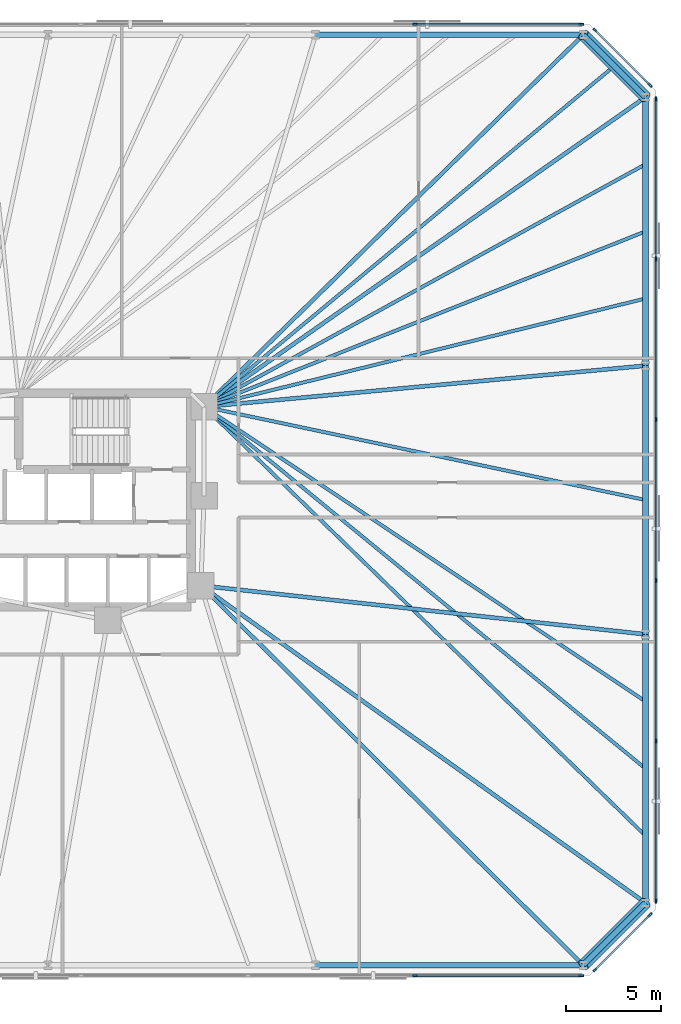
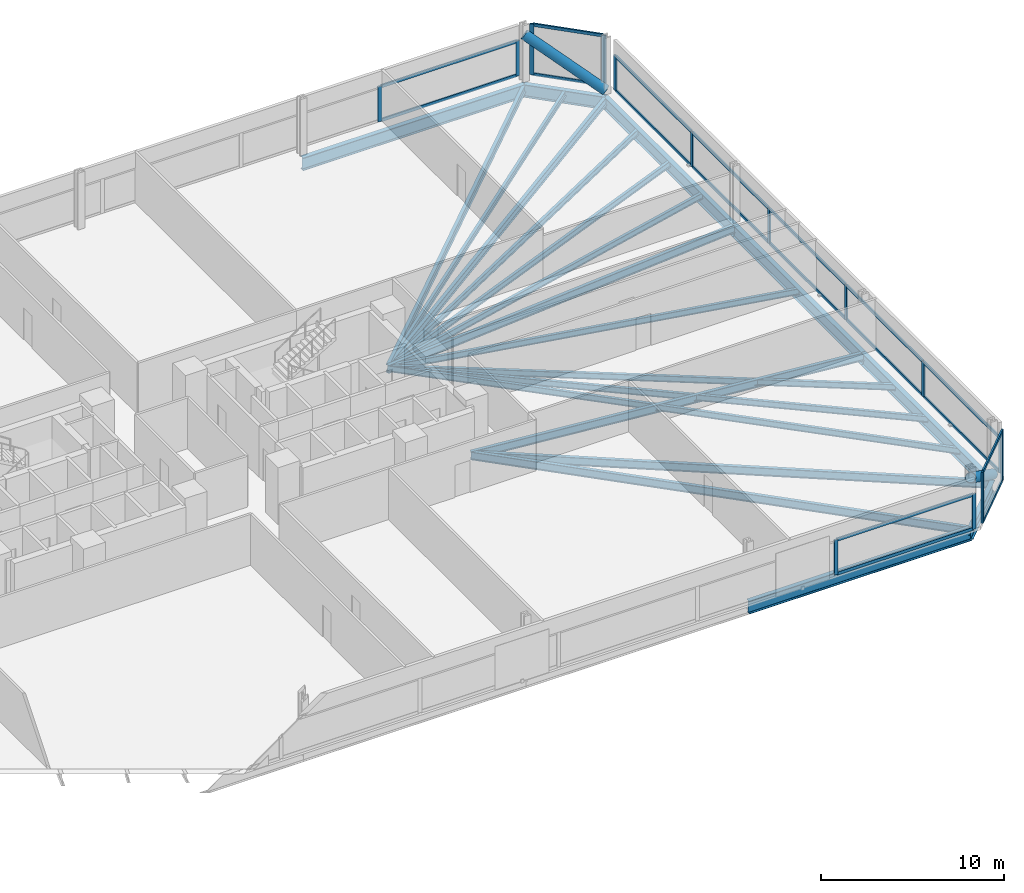
# One storey, part 10 of 17: 34 members, 21 beams, 5 elements without a shape of their own.
"""IFC4 building model written with IfcOpenShell, lengths in metres."""

from ifc_helpers import new_model, si_unit, direction, frame, origin, origin_2d, place, context, subcontext, project, spatial, rectangle, hollow_circle, i_section, extrude, material, material_profile, profile_set, type_object, element, aggregate, save


model = new_model("IFC4")

# Units and contexts
model_context = context("Model", 3, precision=1e-05, world=origin(), true_north=direction((0.0, 1.0)))
body_context = subcontext(model_context, "Body", "Model", "MODEL_VIEW")
ifc_project = project(units=[si_unit("LENGTHUNIT", "METRE"), si_unit("AREAUNIT", "SQUARE_METRE"), si_unit("VOLUMEUNIT", "CUBIC_METRE"), si_unit("PLANEANGLEUNIT", "RADIAN"), si_unit("MASSUNIT", "GRAM", prefix="KILO")], contexts=[model_context])

# Site, building, storey
site_placement = place(None, origin())
site = spatial("IfcSite", under=ifc_project, at=site_placement, CompositionType="ELEMENT")
building_placement = place(site_placement, origin())
building = spatial("IfcBuilding", under=site, at=building_placement, Name="Menara Jurai Vektor", CompositionType="ELEMENT")
storey_placement = place(building_placement, frame((0.0, 0.0, 75.0)))
storey = spatial("IfcBuildingStorey", under=building, at=storey_placement, Name="L18", CompositionType="ELEMENT", Elevation=75.0)

# Curtain wall, members
ifc_material_1 = material(Name="Anodised Pale Aluminium & Low-E Double Glazing", Category="aluminium")
curtain_wall_type = type_object("IfcCurtainWallType", Name="CW-BLK1", PredefinedType="NOTDEFINED", material=ifc_material_1)
curtain_wall_1_placement = place(storey_placement, origin())
curtain_wall_1 = element("IfcCurtainWall", 1, at=curtain_wall_1_placement, inside=storey, type_object=curtain_wall_type, Name="Unitised Curtain Wall L18 F01", PredefinedType="NOTDEFINED")
ifc_material_2 = material(Name="Anodised Pale Aluminium Mullion", Category="aluminium")
ifc_material_profile_1 = material_profile(ifc_material_2, rectangle(XDim=0.094970703125, YDim=0.239990234375, at=origin_2d()), Name="ALU MUL 95x240")
ifc_profile_set_1 = profile_set([ifc_material_profile_1], Name="Anodised Pale Aluminium Mullion")
member_type_1 = type_object("IfcMemberType", Name="CW-BLK1-MUL", PredefinedType="MULLION", material=ifc_profile_set_1)
member_1_placement = place(storey_placement, frame((26.340087890625, -25.0, 0.0), z_axis=(0.0, 0.0, 1.0), x_axis=(0.0, 1.0, 0.0)))
member_1 = element("IfcMember", 2, at=member_1_placement, type_object=member_type_1, Name="CW-01 mullion 8", PredefinedType="MULLION", context=body_context, shape_type="SweptSolid", body=[
    extrude(rectangle(XDim=0.094970703125, YDim=0.239990234375, at=origin_2d()), origin(), (0.0, 0.0, 1.0), 2.35888671875),
])
member_2_placement = place(storey_placement, frame((35.072509765625, -25.0, 0.0), z_axis=(0.0, 0.0, 1.0), x_axis=(0.0, 1.0, 0.0)))
member_2 = element("IfcMember", 3, at=member_2_placement, type_object=member_type_1, Name="CW-01 mullion 9", PredefinedType="MULLION", context=body_context, shape_type="SweptSolid", body=[
    extrude(rectangle(XDim=0.094970703125, YDim=0.239990234375, at=origin_2d()), origin(), (0.0, 0.0, 1.0), 2.35888671875),
])

curtain_wall_2_placement = place(storey_placement, origin())
curtain_wall_2 = element("IfcCurtainWall", 4, at=curtain_wall_2_placement, inside=storey, type_object=curtain_wall_type, Name="Unitised Curtain Wall L18 F02", PredefinedType="NOTDEFINED")
member_3_placement = place(storey_placement, frame((35.80224609375, -24.69775390625, 0.0), z_axis=(0.0, 0.0, 1.0), x_axis=(-0.707106781187, 0.707106781187, 0.0)))
member_3 = element("IfcMember", 5, at=member_3_placement, type_object=member_type_1, Name="CW-01 mullion 1", PredefinedType="MULLION", context=body_context, shape_type="SweptSolid", body=[
    extrude(rectangle(XDim=0.094970703125, YDim=0.239990234375, at=origin_2d()), origin(), (0.0, 0.0, 1.0), 3.39501953125),
])
member_4_placement = place(storey_placement, frame((38.69775390625, -21.80224609375, 0.0), z_axis=(0.0, 0.0, 1.0), x_axis=(-0.707106781187, 0.707106781187, 0.0)))
member_4 = element("IfcMember", 6, at=member_4_placement, type_object=member_type_1, Name="CW-01 mullion 2", PredefinedType="MULLION", context=body_context, shape_type="SweptSolid", body=[
    extrude(rectangle(XDim=0.094970703125, YDim=0.239990234375, at=origin_2d()), origin(), (0.0, 0.0, 1.0), 3.39501953125),
])

curtain_wall_3_placement = place(storey_placement, origin())
curtain_wall_3 = element("IfcCurtainWall", 7, at=curtain_wall_3_placement, inside=storey, type_object=curtain_wall_type, Name="Unitised Curtain Wall L18 F03", PredefinedType="NOTDEFINED")
member_5_placement = place(storey_placement, frame((39.0, -21.072509765625, 0.0), z_axis=(0.0, 0.0, 1.0), x_axis=(-1.0, 0.0, 0.0)))
member_5 = element("IfcMember", 8, at=member_5_placement, type_object=member_type_1, Name="CW-01 mullion 1", PredefinedType="MULLION", context=body_context, shape_type="SweptSolid", body=[
    extrude(rectangle(XDim=0.094970703125, YDim=0.239990234375, at=origin_2d()), origin(), (0.0, 0.0, 1.0), 2.35888671875),
])
member_6_placement = place(storey_placement, frame((39.0, -12.672119140625, 0.0), z_axis=(0.0, 0.0, 1.0), x_axis=(-1.0, 0.0, 0.0)))
member_6 = element("IfcMember", 9, at=member_6_placement, type_object=member_type_1, Name="CW-01 mullion 2", PredefinedType="MULLION", context=body_context, shape_type="SweptSolid", body=[
    extrude(rectangle(XDim=0.094970703125, YDim=0.239990234375, at=origin_2d()), origin(), (0.0, 0.0, 1.0), 2.35888671875),
])
member_7_placement = place(storey_placement, frame((39.0, -4.22412109375, 0.0), z_axis=(0.0, 0.0, 1.0), x_axis=(-1.0, 0.0, 0.0)))
member_7 = element("IfcMember", 10, at=member_7_placement, type_object=member_type_1, Name="CW-01 mullion 3", PredefinedType="MULLION", context=body_context, shape_type="SweptSolid", body=[
    extrude(rectangle(XDim=0.094970703125, YDim=0.239990234375, at=origin_2d()), origin(), (0.0, 0.0, 1.0), 2.35888671875),
])
member_8_placement = place(storey_placement, frame((39.0, 4.22412109375, 0.0), z_axis=(0.0, 0.0, 1.0), x_axis=(-1.0, 0.0, 0.0)))
member_8 = element("IfcMember", 11, at=member_8_placement, type_object=member_type_1, Name="CW-01 mullion 4", PredefinedType="MULLION", context=body_context, shape_type="SweptSolid", body=[
    extrude(rectangle(XDim=0.094970703125, YDim=0.239990234375, at=origin_2d()), origin(), (0.0, 0.0, 1.0), 2.35888671875),
])
member_9_placement = place(storey_placement, frame((39.0, 12.672119140625, 0.0), z_axis=(0.0, 0.0, 1.0), x_axis=(-1.0, 0.0, 0.0)))
member_9 = element("IfcMember", 12, at=member_9_placement, type_object=member_type_1, Name="CW-01 mullion 5", PredefinedType="MULLION", context=body_context, shape_type="SweptSolid", body=[
    extrude(rectangle(XDim=0.094970703125, YDim=0.239990234375, at=origin_2d()), origin(), (0.0, 0.0, 1.0), 2.35888671875),
])
member_10_placement = place(storey_placement, frame((39.0, 21.072509765625, 0.0), z_axis=(0.0, 0.0, 1.0), x_axis=(-1.0, 0.0, 0.0)))
member_10 = element("IfcMember", 13, at=member_10_placement, type_object=member_type_1, Name="CW-01 mullion 6", PredefinedType="MULLION", context=body_context, shape_type="SweptSolid", body=[
    extrude(rectangle(XDim=0.094970703125, YDim=0.239990234375, at=origin_2d()), origin(), (0.0, 0.0, 1.0), 2.35888671875),
])

curtain_wall_4_placement = place(storey_placement, origin())
curtain_wall_4 = element("IfcCurtainWall", 14, at=curtain_wall_4_placement, inside=storey, type_object=curtain_wall_type, Name="Unitised Curtain Wall L18 F04", PredefinedType="NOTDEFINED")
member_11_placement = place(storey_placement, frame((38.69775390625, 21.80224609375, 0.0), z_axis=(0.0, 0.0, 1.0), x_axis=(-0.707106781187, -0.707106781187, 0.0)))
member_11 = element("IfcMember", 15, at=member_11_placement, type_object=member_type_1, Name="CW-01 mullion 1", PredefinedType="MULLION", context=body_context, shape_type="SweptSolid", body=[
    extrude(rectangle(XDim=0.094970703125, YDim=0.239990234375, at=origin_2d()), origin(), (0.0, 0.0, 1.0), 3.39501953125),
])
member_12_placement = place(storey_placement, frame((35.80224609375, 24.69775390625, 0.0), z_axis=(0.0, 0.0, 1.0), x_axis=(-0.707106781187, -0.707106781187, 0.0)))
member_12 = element("IfcMember", 16, at=member_12_placement, type_object=member_type_1, Name="CW-01 mullion 2", PredefinedType="MULLION", context=body_context, shape_type="SweptSolid", body=[
    extrude(rectangle(XDim=0.094970703125, YDim=0.239990234375, at=origin_2d()), origin(), (0.0, 0.0, 1.0), 3.39501953125),
])

curtain_wall_5_placement = place(storey_placement, origin())
curtain_wall_5 = element("IfcCurtainWall", 17, at=curtain_wall_5_placement, inside=storey, type_object=curtain_wall_type, Name="Unitised Curtain Wall L18 F05", PredefinedType="NOTDEFINED")
member_13_placement = place(storey_placement, frame((35.072509765625, 25.0, 0.0), z_axis=(0.0, 0.0, 1.0), x_axis=(0.0, -1.0, 0.0)))
member_13 = element("IfcMember", 18, at=member_13_placement, type_object=member_type_1, Name="CW-01 mullion 1", PredefinedType="MULLION", context=body_context, shape_type="SweptSolid", body=[
    extrude(rectangle(XDim=0.094970703125, YDim=0.239990234375, at=origin_2d()), origin(), (0.0, 0.0, 1.0), 2.35888671875),
])
member_14_placement = place(storey_placement, frame((26.340087890625, 25.0, 0.0), z_axis=(0.0, 0.0, 1.0), x_axis=(0.0, -1.0, 0.0)))
member_14 = element("IfcMember", 19, at=member_14_placement, type_object=member_type_1, Name="CW-01 mullion 2", PredefinedType="MULLION", context=body_context, shape_type="SweptSolid", body=[
    extrude(rectangle(XDim=0.094970703125, YDim=0.239990234375, at=origin_2d()), origin(), (0.0, 0.0, 1.0), 2.35888671875),
])

# Member
ifc_material_3 = material(Name="Anodised Pale Aluminium Transom", Category="aluminium")
ifc_material_profile_2 = material_profile(ifc_material_3, rectangle(XDim=0.094970703125, YDim=0.199951171875, at=origin_2d()), Name="ALU TRN 95x200")
ifc_profile_set_2 = profile_set([ifc_material_profile_2], Name="Anodised Pale Aluminium Transom")
member_type_2 = type_object("IfcMemberType", Name="CW-BLK1-TRN", PredefinedType="USERDEFINED", material=ifc_profile_set_2)
member_15_placement = place(storey_placement, frame((26.387451171875, -25.0, 0.047607421875), z_axis=(1.0, 0.0, 0.0), x_axis=(0.0, 1.0, 0.0)))
member_15 = element("IfcMember", 20, at=member_15_placement, type_object=member_type_2, Name="CW-01 transom 8.1", ObjectType="TRANSOM", PredefinedType="USERDEFINED", context=body_context, shape_type="SweptSolid", body=[
    extrude(rectangle(XDim=0.094970703125, YDim=0.199951171875, at=origin_2d()), origin(), (0.0, 0.0, 1.0), 8.637451171875),
])

member_16_placement = place(storey_placement, frame((26.387451171875, -25.0, 2.3115234375), z_axis=(1.0, 0.0, 0.0), x_axis=(0.0, 1.0, 0.0)))
member_16 = element("IfcMember", 21, at=member_16_placement, type_object=member_type_2, Name="CW-01 transom 8.2", ObjectType="TRANSOM", PredefinedType="USERDEFINED", context=body_context, shape_type="SweptSolid", body=[
    extrude(rectangle(XDim=0.094970703125, YDim=0.199951171875, at=origin_2d()), origin(), (0.0, 0.0, 1.0), 8.637451171875),
])

aggregate(curtain_wall_1, [member_1, member_2, member_15, member_16])

member_17_placement = place(storey_placement, frame((35.8359375, -24.6640625, 0.047607421875), z_axis=(0.707106781187, 0.707106781187, 0.0), x_axis=(-0.707106781187, 0.707106781187, 0.0)))
member_17 = element("IfcMember", 22, at=member_17_placement, type_object=member_type_2, Name="CW-01 transom 1.1", ObjectType="TRANSOM", PredefinedType="USERDEFINED", context=body_context, shape_type="SweptSolid", body=[
    extrude(rectangle(XDim=0.094970703125, YDim=0.199951171875, at=origin_2d()), origin(), (0.0, 0.0, 1.0), 3.99951171875),
])

member_18_placement = place(storey_placement, frame((35.8359375, -24.6640625, 3.347412109375), z_axis=(0.707106781187, 0.707106781187, 0.0), x_axis=(-0.707106781187, 0.707106781187, 0.0)))
member_18 = element("IfcMember", 23, at=member_18_placement, type_object=member_type_2, Name="CW-01 transom 1.2", ObjectType="TRANSOM", PredefinedType="USERDEFINED", context=body_context, shape_type="SweptSolid", body=[
    extrude(rectangle(XDim=0.094970703125, YDim=0.199951171875, at=origin_2d()), origin(), (0.0, 0.0, 1.0), 3.99951171875),
])

aggregate(curtain_wall_2, [member_3, member_4, member_17, member_18])

member_19_placement = place(storey_placement, frame((39.0, -21.02490234375, 0.047607421875), z_axis=(0.0, 1.0, 0.0), x_axis=(-1.0, 0.0, 0.0)))
member_19 = element("IfcMember", 24, at=member_19_placement, type_object=member_type_2, Name="CW-01 transom 1.1", ObjectType="TRANSOM", PredefinedType="USERDEFINED", context=body_context, shape_type="SweptSolid", body=[
    extrude(rectangle(XDim=0.094970703125, YDim=0.199951171875, at=origin_2d()), origin(), (0.0, 0.0, 1.0), 8.305419921875),
])

member_20_placement = place(storey_placement, frame((39.0, -21.02490234375, 2.3115234375), z_axis=(0.0, 1.0, 0.0), x_axis=(-1.0, 0.0, 0.0)))
member_20 = element("IfcMember", 25, at=member_20_placement, type_object=member_type_2, Name="CW-01 transom 1.2", ObjectType="TRANSOM", PredefinedType="USERDEFINED", context=body_context, shape_type="SweptSolid", body=[
    extrude(rectangle(XDim=0.094970703125, YDim=0.199951171875, at=origin_2d()), origin(), (0.0, 0.0, 1.0), 8.305419921875),
])

member_21_placement = place(storey_placement, frame((39.0, -12.62451171875, 0.047607421875), z_axis=(0.0, 1.0, 0.0), x_axis=(-1.0, 0.0, 0.0)))
member_21 = element("IfcMember", 26, at=member_21_placement, type_object=member_type_2, Name="CW-01 transom 2.1", ObjectType="TRANSOM", PredefinedType="USERDEFINED", context=body_context, shape_type="SweptSolid", body=[
    extrude(rectangle(XDim=0.094970703125, YDim=0.199951171875, at=origin_2d()), origin(), (0.0, 0.0, 1.0), 8.35302734375),
])

member_22_placement = place(storey_placement, frame((39.0, -12.62451171875, 2.3115234375), z_axis=(0.0, 1.0, 0.0), x_axis=(-1.0, 0.0, 0.0)))
member_22 = element("IfcMember", 27, at=member_22_placement, type_object=member_type_2, Name="CW-01 transom 2.2", ObjectType="TRANSOM", PredefinedType="USERDEFINED", context=body_context, shape_type="SweptSolid", body=[
    extrude(rectangle(XDim=0.094970703125, YDim=0.199951171875, at=origin_2d()), origin(), (0.0, 0.0, 1.0), 8.35302734375),
])

member_23_placement = place(storey_placement, frame((39.0, -4.176513671875, 0.047607421875), z_axis=(0.0, 1.0, 0.0), x_axis=(-1.0, 0.0, 0.0)))
member_23 = element("IfcMember", 28, at=member_23_placement, type_object=member_type_2, Name="CW-01 transom 3.1", ObjectType="TRANSOM", PredefinedType="USERDEFINED", context=body_context, shape_type="SweptSolid", body=[
    extrude(rectangle(XDim=0.094970703125, YDim=0.199951171875, at=origin_2d()), origin(), (0.0, 0.0, 1.0), 8.35302734375),
])

member_24_placement = place(storey_placement, frame((39.0, -4.176513671875, 2.3115234375), z_axis=(0.0, 1.0, 0.0), x_axis=(-1.0, 0.0, 0.0)))
member_24 = element("IfcMember", 29, at=member_24_placement, type_object=member_type_2, Name="CW-01 transom 3.2", ObjectType="TRANSOM", PredefinedType="USERDEFINED", context=body_context, shape_type="SweptSolid", body=[
    extrude(rectangle(XDim=0.094970703125, YDim=0.199951171875, at=origin_2d()), origin(), (0.0, 0.0, 1.0), 8.35302734375),
])

member_25_placement = place(storey_placement, frame((39.0, 4.271484375, 0.047607421875), z_axis=(0.0, 1.0, 0.0), x_axis=(-1.0, 0.0, 0.0)))
member_25 = element("IfcMember", 30, at=member_25_placement, type_object=member_type_2, Name="CW-01 transom 4.1", ObjectType="TRANSOM", PredefinedType="USERDEFINED", context=body_context, shape_type="SweptSolid", body=[
    extrude(rectangle(XDim=0.094970703125, YDim=0.199951171875, at=origin_2d()), origin(), (0.0, 0.0, 1.0), 8.35302734375),
])

member_26_placement = place(storey_placement, frame((39.0, 4.271484375, 2.3115234375), z_axis=(0.0, 1.0, 0.0), x_axis=(-1.0, 0.0, 0.0)))
member_26 = element("IfcMember", 31, at=member_26_placement, type_object=member_type_2, Name="CW-01 transom 4.2", ObjectType="TRANSOM", PredefinedType="USERDEFINED", context=body_context, shape_type="SweptSolid", body=[
    extrude(rectangle(XDim=0.094970703125, YDim=0.199951171875, at=origin_2d()), origin(), (0.0, 0.0, 1.0), 8.35302734375),
])

member_27_placement = place(storey_placement, frame((39.0, 12.719482421875, 0.047607421875), z_axis=(0.0, 1.0, 0.0), x_axis=(-1.0, 0.0, 0.0)))
member_27 = element("IfcMember", 32, at=member_27_placement, type_object=member_type_2, Name="CW-01 transom 5.1", ObjectType="TRANSOM", PredefinedType="USERDEFINED", context=body_context, shape_type="SweptSolid", body=[
    extrude(rectangle(XDim=0.094970703125, YDim=0.199951171875, at=origin_2d()), origin(), (0.0, 0.0, 1.0), 8.305419921875),
])

member_28_placement = place(storey_placement, frame((39.0, 12.719482421875, 2.3115234375), z_axis=(0.0, 1.0, 0.0), x_axis=(-1.0, 0.0, 0.0)))
member_28 = element("IfcMember", 33, at=member_28_placement, type_object=member_type_2, Name="CW-01 transom 5.2", ObjectType="TRANSOM", PredefinedType="USERDEFINED", context=body_context, shape_type="SweptSolid", body=[
    extrude(rectangle(XDim=0.094970703125, YDim=0.199951171875, at=origin_2d()), origin(), (0.0, 0.0, 1.0), 8.305419921875),
])

aggregate(curtain_wall_3, [member_5, member_6, member_7, member_8, member_9, member_10, member_19, member_20, member_21, member_22, member_23, member_24, member_25, member_26, member_27, member_28])

member_29_placement = place(storey_placement, frame((38.6640625, 21.8359375, 0.047607421875), z_axis=(-0.707106781187, 0.707106781187, 0.0), x_axis=(-0.707106781187, -0.707106781187, 0.0)))
member_29 = element("IfcMember", 34, at=member_29_placement, type_object=member_type_2, Name="CW-01 transom 1.1", ObjectType="TRANSOM", PredefinedType="USERDEFINED", context=body_context, shape_type="SweptSolid", body=[
    extrude(rectangle(XDim=0.094970703125, YDim=0.199951171875, at=origin_2d()), origin(), (0.0, 0.0, 1.0), 3.99951171875),
])

member_30_placement = place(storey_placement, frame((38.6640625, 21.8359375, 3.347412109375), z_axis=(-0.707106781187, 0.707106781187, 0.0), x_axis=(-0.707106781187, -0.707106781187, 0.0)))
member_30 = element("IfcMember", 35, at=member_30_placement, type_object=member_type_2, Name="CW-01 transom 1.2", ObjectType="TRANSOM", PredefinedType="USERDEFINED", context=body_context, shape_type="SweptSolid", body=[
    extrude(rectangle(XDim=0.094970703125, YDim=0.199951171875, at=origin_2d()), origin(), (0.0, 0.0, 1.0), 3.99951171875),
])

aggregate(curtain_wall_4, [member_11, member_12, member_29, member_30])

member_31_placement = place(storey_placement, frame((35.02490234375, 25.0, 0.047607421875), z_axis=(-1.0, 0.0, 0.0), x_axis=(0.0, -1.0, 0.0)))
member_31 = element("IfcMember", 36, at=member_31_placement, type_object=member_type_2, Name="CW-01 transom 1.1", ObjectType="TRANSOM", PredefinedType="USERDEFINED", context=body_context, shape_type="SweptSolid", body=[
    extrude(rectangle(XDim=0.094970703125, YDim=0.199951171875, at=origin_2d()), origin(), (0.0, 0.0, 1.0), 8.637451171875),
])

member_32_placement = place(storey_placement, frame((35.02490234375, 25.0, 2.3115234375), z_axis=(-1.0, 0.0, 0.0), x_axis=(0.0, -1.0, 0.0)))
member_32 = element("IfcMember", 37, at=member_32_placement, type_object=member_type_2, Name="CW-01 transom 1.2", ObjectType="TRANSOM", PredefinedType="USERDEFINED", context=body_context, shape_type="SweptSolid", body=[
    extrude(rectangle(XDim=0.094970703125, YDim=0.199951171875, at=origin_2d()), origin(), (0.0, 0.0, 1.0), 8.637451171875),
])

aggregate(curtain_wall_5, [member_13, member_14, member_31, member_32])

# Beams
ifc_material_4 = material(Name="Steel S355", Category="steel")
ifc_material_profile_3 = material_profile(ifc_material_4, i_section(OverallWidth=0.2109375, OverallDepth=0.5390625, WebThickness=0.011962890625, FlangeThickness=0.01904296875, FilletRadius=0.012939453125, at=origin_2d()), Name="UKB 533x210x109")
ifc_profile_set_3 = profile_set([ifc_material_profile_3], Name="Steel S355")
beam_type_1 = type_object("IfcBeamType", Name="STR-BM-533", PredefinedType="BEAM", material=ifc_profile_set_3)
beam_1_placement = place(storey_placement, frame((35.177734375, -24.449951171875, -0.494384765625), z_axis=(-0.709709931659, 0.704494011972, 0.0), x_axis=(-0.704494011972, -0.709709931659, 0.0)))
element("IfcBeam", 38, at=beam_1_placement, inside=storey, type_object=beam_type_1, Name="Radial Floor Girder L18-S6", PredefinedType="BEAM", context=body_context, shape_type="SweptSolid", body=[
    extrude(i_section(OverallWidth=0.2109375, OverallDepth=0.5390625, WebThickness=0.011962890625, FlangeThickness=0.01904296875, FilletRadius=0.012939453125, at=origin_2d()), origin(), (0.0, 0.0, 1.0), 28.318115234375),
])
beam_2_placement = place(storey_placement, frame((38.449951171875, -21.177734375, -0.494384765625), z_axis=(-0.813981033216, 0.580891450759, 0.0), x_axis=(-0.580891450759, -0.813981033216, 0.0)))
element("IfcBeam", 39, at=beam_2_placement, inside=storey, type_object=beam_type_1, Name="Radial Floor Girder L18-E1", PredefinedType="BEAM", context=body_context, shape_type="SweptSolid", body=[
    extrude(i_section(OverallWidth=0.2109375, OverallDepth=0.5390625, WebThickness=0.011962890625, FlangeThickness=0.01904296875, FilletRadius=0.012939453125, at=origin_2d()), origin(), (0.0, 0.0, 1.0), 28.710693359375),
])
beam_3_placement = place(storey_placement, frame((38.449951171875, -7.059326171875, -0.494384765625), z_axis=(-0.994056757953, 0.108863042253, 0.0), x_axis=(-0.108863042253, -0.994056757953, 0.0)))
element("IfcBeam", 40, at=beam_3_placement, inside=storey, type_object=beam_type_1, Name="Radial Floor Girder L18-E2", PredefinedType="BEAM", context=body_context, shape_type="SweptSolid", body=[
    extrude(i_section(OverallWidth=0.2109375, OverallDepth=0.5390625, WebThickness=0.011962890625, FlangeThickness=0.01904296875, FilletRadius=0.012939453125, at=origin_2d()), origin(), (0.0, 0.0, 1.0), 23.509521484375),
])
beam_4_placement = place(storey_placement, frame((38.449951171875, 7.059326171875, -0.494384765625), z_axis=(-0.995696113112, -0.092678208514, 0.0), x_axis=(0.092678208514, -0.995696113112, 0.0)))
element("IfcBeam", 41, at=beam_4_placement, inside=storey, type_object=beam_type_1, Name="Radial Floor Girder L18-E3", PredefinedType="BEAM", context=body_context, shape_type="SweptSolid", body=[
    extrude(i_section(OverallWidth=0.2109375, OverallDepth=0.5390625, WebThickness=0.011962890625, FlangeThickness=0.01904296875, FilletRadius=0.012939453125, at=origin_2d()), origin(), (0.0, 0.0, 1.0), 23.30029296875),
])
beam_5_placement = place(storey_placement, frame((38.449951171875, 21.177734375, -0.494384765625), z_axis=(-0.818603732445, -0.574358711283, 0.0), x_axis=(0.574358711283, -0.818603732445, 0.0)))
element("IfcBeam", 42, at=beam_5_placement, inside=storey, type_object=beam_type_1, Name="Radial Floor Girder L18-E4", PredefinedType="BEAM", context=body_context, shape_type="SweptSolid", body=[
    extrude(i_section(OverallWidth=0.2109375, OverallDepth=0.5390625, WebThickness=0.011962890625, FlangeThickness=0.01904296875, FilletRadius=0.012939453125, at=origin_2d()), origin(), (0.0, 0.0, 1.0), 28.3408203125),
])
beam_6_placement = place(storey_placement, frame((35.177734375, 24.449951171875, -0.494384765625), z_axis=(-0.713839032855, -0.700309813706, 0.0), x_axis=(0.700309813706, -0.713839032855, 0.0)))
element("IfcBeam", 43, at=beam_6_placement, inside=storey, type_object=beam_type_1, Name="Radial Floor Girder L18-N1", PredefinedType="BEAM", context=body_context, shape_type="SweptSolid", body=[
    extrude(i_section(OverallWidth=0.2109375, OverallDepth=0.5390625, WebThickness=0.011962890625, FlangeThickness=0.01904296875, FilletRadius=0.012939453125, at=origin_2d()), origin(), (0.0, 0.0, 1.0), 27.916259765625),
])

# Members
ifc_material_5 = material(Name="Steel S460", Category="steel")
ifc_material_profile_4 = material_profile(ifc_material_5, hollow_circle(Radius=0.304931640625, WallThickness=0.02490234375, at=origin_2d()), Name="CHS 610x25")
ifc_profile_set_4 = profile_set([ifc_material_profile_4], Name="Steel S460")
member_type_3 = type_object("IfcMemberType", Name="STR-BR-610", PredefinedType="BRACE", material=ifc_profile_set_4)
for number, where, z_axis, x_axis, name in (
    (44, (38.449951171875, -21.177734375, 0.14990234375), (-0.599464538978, -0.599464538978, 0.530362642931), (0.707106781187, -0.707106781187, 0.0), "Exoskeleton Corner Brace L18-1"),
    (45, (38.449951171875, 21.177734375, 0.14990234375), (-0.599464538978, 0.599464538978, 0.530362642931), (-0.707106781187, -0.707106781187, 0.0), "Exoskeleton Corner Brace L18-2"),
):
    element("IfcMember", number, at=place(storey_placement, frame(where, z_axis=z_axis, x_axis=x_axis)), inside=storey, type_object=member_type_3, Name=name, PredefinedType="BRACE", context=body_context, shape_type="SweptSolid", body=[
        extrude(hollow_circle(Radius=0.304931640625, WallThickness=0.02490234375, at=origin_2d()), origin(), (0.0, 0.0, 1.0), 5.45849609375),
    ])

# Beams
ifc_material_profile_5 = material_profile(ifc_material_4, i_section(OverallWidth=0.178955078125, OverallDepth=0.408935546875, WebThickness=0.009033203125, FlangeThickness=0.013916015625, FilletRadius=0.010009765625, at=origin_2d()), Name="UKB 406x178x67")
ifc_profile_set_5 = profile_set([ifc_material_profile_5], Name="Steel S355")
beam_type_2 = type_object("IfcBeamType", Name="STR-JS-406", PredefinedType="JOIST", material=ifc_profile_set_5)
beam_7_placement = place(storey_placement, frame((38.449951171875, -17.648193359375, -0.429443359375), z_axis=(-0.71710942187, 0.696960599363, 0.0), x_axis=(-0.696960599363, -0.71710942187, 0.0)))
element("IfcBeam", 46, at=beam_7_placement, inside=storey, type_object=beam_type_2, Name="Radial Secondary Floor Joist L18-JS08", PredefinedType="JOIST", context=body_context, shape_type="SweptSolid", body=[
    extrude(i_section(OverallWidth=0.178955078125, OverallDepth=0.408935546875, WebThickness=0.009033203125, FlangeThickness=0.013916015625, FilletRadius=0.010009765625, at=origin_2d()), origin(), (0.0, 0.0, 1.0), 32.35205078125),
])
beam_8_placement = place(storey_placement, frame((38.449951171875, -14.118408203125, -0.429443359375), z_axis=(-0.773360118456, 0.633966976413, 0.0), x_axis=(-0.633966976413, -0.773360118456, 0.0)))
element("IfcBeam", 47, at=beam_8_placement, inside=storey, type_object=beam_type_2, Name="Radial Secondary Floor Joist L18-JS09", PredefinedType="JOIST", context=body_context, shape_type="SweptSolid", body=[
    extrude(i_section(OverallWidth=0.178955078125, OverallDepth=0.408935546875, WebThickness=0.009033203125, FlangeThickness=0.013916015625, FilletRadius=0.010009765625, at=origin_2d()), origin(), (0.0, 0.0, 1.0), 29.998779296875),
])
beam_9_placement = place(storey_placement, frame((38.449951171875, -10.5888671875, -0.429443359375), z_axis=(-0.831683872109, 0.555249436627, 0.0), x_axis=(-0.555249436627, -0.831683872109, 0.0)))
element("IfcBeam", 48, at=beam_9_placement, inside=storey, type_object=beam_type_2, Name="Radial Secondary Floor Joist L18-JS10", PredefinedType="JOIST", context=body_context, shape_type="SweptSolid", body=[
    extrude(i_section(OverallWidth=0.178955078125, OverallDepth=0.408935546875, WebThickness=0.009033203125, FlangeThickness=0.013916015625, FilletRadius=0.010009765625, at=origin_2d()), origin(), (0.0, 0.0, 1.0), 27.895263671875),
])
beam_10_placement = place(storey_placement, frame((38.449951171875, 0.0, -0.429443359375), z_axis=(-0.978416084102, 0.206644541109, 0.0), x_axis=(-0.206644541109, -0.978416084102, 0.0)))
element("IfcBeam", 49, at=beam_10_placement, inside=storey, type_object=beam_type_2, Name="Radial Secondary Floor Joist L18-JS11", PredefinedType="JOIST", context=body_context, shape_type="SweptSolid", body=[
    extrude(i_section(OverallWidth=0.178955078125, OverallDepth=0.408935546875, WebThickness=0.009033203125, FlangeThickness=0.013916015625, FilletRadius=0.010009765625, at=origin_2d()), origin(), (0.0, 0.0, 1.0), 23.711669921875),
])
beam_11_placement = place(storey_placement, frame((38.449951171875, 10.5888671875, -0.429443359375), z_axis=(-0.971226234641, -0.238158772976, 0.0), x_axis=(0.238158772976, -0.971226234641, 0.0)))
element("IfcBeam", 50, at=beam_11_placement, inside=storey, type_object=beam_type_2, Name="Radial Secondary Floor Joist L18-JS12", PredefinedType="JOIST", context=body_context, shape_type="SweptSolid", body=[
    extrude(i_section(OverallWidth=0.178955078125, OverallDepth=0.408935546875, WebThickness=0.009033203125, FlangeThickness=0.013916015625, FilletRadius=0.010009765625, at=origin_2d()), origin(), (0.0, 0.0, 1.0), 23.88720703125),
])
beam_12_placement = place(storey_placement, frame((38.449951171875, 14.118408203125, -0.429443359375), z_axis=(-0.929323400723, -0.369266864027, 0.0), x_axis=(0.369266864027, -0.929323400723, 0.0)))
element("IfcBeam", 51, at=beam_12_placement, inside=storey, type_object=beam_type_2, Name="Radial Secondary Floor Joist L18-JS13", PredefinedType="JOIST", context=body_context, shape_type="SweptSolid", body=[
    extrude(i_section(OverallWidth=0.178955078125, OverallDepth=0.408935546875, WebThickness=0.009033203125, FlangeThickness=0.013916015625, FilletRadius=0.010009765625, at=origin_2d()), origin(), (0.0, 0.0, 1.0), 24.96435546875),
])
beam_13_placement = place(storey_placement, frame((38.449951171875, 17.648193359375, -0.429443359375), z_axis=(-0.87640219057, -0.481579900291, 0.0), x_axis=(0.481579900291, -0.87640219057, 0.0)))
element("IfcBeam", 52, at=beam_13_placement, inside=storey, type_object=beam_type_2, Name="Radial Secondary Floor Joist L18-JS14", PredefinedType="JOIST", context=body_context, shape_type="SweptSolid", body=[
    extrude(i_section(OverallWidth=0.178955078125, OverallDepth=0.408935546875, WebThickness=0.009033203125, FlangeThickness=0.013916015625, FilletRadius=0.010009765625, at=origin_2d()), origin(), (0.0, 0.0, 1.0), 26.471923828125),
])
beam_14_placement = place(storey_placement, frame((36.81396484375, 22.81396484375, -0.429443359375), z_axis=(-0.769201173096, -0.639006694259, 0.0), x_axis=(0.639006694259, -0.769201173096, 0.0)))
element("IfcBeam", 53, at=beam_14_placement, inside=storey, type_object=beam_type_2, Name="Radial Secondary Floor Joist L18-JS15", PredefinedType="JOIST", context=body_context, shape_type="SweptSolid", body=[
    extrude(i_section(OverallWidth=0.178955078125, OverallDepth=0.408935546875, WebThickness=0.009033203125, FlangeThickness=0.013916015625, FilletRadius=0.010009765625, at=origin_2d()), origin(), (0.0, 0.0, 1.0), 28.0341796875),
])
ifc_material_profile_6 = material_profile(ifc_material_5, i_section(OverallWidth=0.2939453125, OverallDepth=0.85107421875, WebThickness=0.01611328125, FlangeThickness=0.027099609375, FilletRadius=0.01806640625, at=origin_2d()), Name="UKB 838x292x226")
ifc_profile_set_6 = profile_set([ifc_material_profile_6], Name="Steel S460")
beam_type_3 = type_object("IfcBeamType", Name="STR-SP-838", PredefinedType="SPANDREL", material=ifc_profile_set_6)
beam_15_placement = place(storey_placement, frame((21.106689453125, -24.449951171875, -0.650390625), z_axis=(1.0, 0.0, 0.0), x_axis=(0.0, 1.0, 0.0)))
element("IfcBeam", 54, at=beam_15_placement, inside=storey, type_object=beam_type_3, Name="Exoskeleton Spandrel Beam L18-05", PredefinedType="SPANDREL", context=body_context, shape_type="SweptSolid", body=[
    extrude(i_section(OverallWidth=0.2939453125, OverallDepth=0.85107421875, WebThickness=0.01611328125, FlangeThickness=0.027099609375, FilletRadius=0.01806640625, at=origin_2d()), origin(), (0.0, 0.0, 1.0), 14.071044921875),
])
beam_16_placement = place(storey_placement, frame((35.177734375, -24.449951171875, -0.650390625), z_axis=(0.707106781187, 0.707106781187, 0.0), x_axis=(-0.707106781187, 0.707106781187, 0.0)))
element("IfcBeam", 55, at=beam_16_placement, inside=storey, type_object=beam_type_3, Name="Exoskeleton Spandrel Beam L18-06", PredefinedType="SPANDREL", context=body_context, shape_type="SweptSolid", body=[
    extrude(i_section(OverallWidth=0.2939453125, OverallDepth=0.85107421875, WebThickness=0.01611328125, FlangeThickness=0.027099609375, FilletRadius=0.01806640625, at=origin_2d()), origin(), (0.0, 0.0, 1.0), 4.627685546875),
])
beam_17_placement = place(storey_placement, frame((38.449951171875, -21.177734375, -0.650390625), z_axis=(0.0, 1.0, 0.0), x_axis=(-1.0, 0.0, 0.0)))
element("IfcBeam", 56, at=beam_17_placement, inside=storey, type_object=beam_type_3, Name="Exoskeleton Spandrel Beam L18-07", PredefinedType="SPANDREL", context=body_context, shape_type="SweptSolid", body=[
    extrude(i_section(OverallWidth=0.2939453125, OverallDepth=0.85107421875, WebThickness=0.01611328125, FlangeThickness=0.027099609375, FilletRadius=0.01806640625, at=origin_2d()), origin(), (0.0, 0.0, 1.0), 14.118408203125),
])
beam_18_placement = place(storey_placement, frame((38.449951171875, -7.059326171875, -0.650390625), z_axis=(0.0, 1.0, 0.0), x_axis=(-1.0, 0.0, 0.0)))
element("IfcBeam", 57, at=beam_18_placement, inside=storey, type_object=beam_type_3, Name="Exoskeleton Spandrel Beam L18-08", PredefinedType="SPANDREL", context=body_context, shape_type="SweptSolid", body=[
    extrude(i_section(OverallWidth=0.2939453125, OverallDepth=0.85107421875, WebThickness=0.01611328125, FlangeThickness=0.027099609375, FilletRadius=0.01806640625, at=origin_2d()), origin(), (0.0, 0.0, 1.0), 14.11865234375),
])
beam_19_placement = place(storey_placement, frame((38.449951171875, 7.059326171875, -0.650390625), z_axis=(0.0, 1.0, 0.0), x_axis=(-1.0, 0.0, 0.0)))
element("IfcBeam", 58, at=beam_19_placement, inside=storey, type_object=beam_type_3, Name="Exoskeleton Spandrel Beam L18-09", PredefinedType="SPANDREL", context=body_context, shape_type="SweptSolid", body=[
    extrude(i_section(OverallWidth=0.2939453125, OverallDepth=0.85107421875, WebThickness=0.01611328125, FlangeThickness=0.027099609375, FilletRadius=0.01806640625, at=origin_2d()), origin(), (0.0, 0.0, 1.0), 14.118408203125),
])
beam_20_placement = place(storey_placement, frame((38.449951171875, 21.177734375, -0.650390625), z_axis=(-0.707106781187, 0.707106781187, 0.0), x_axis=(-0.707106781187, -0.707106781187, 0.0)))
element("IfcBeam", 59, at=beam_20_placement, inside=storey, type_object=beam_type_3, Name="Exoskeleton Spandrel Beam L18-10", PredefinedType="SPANDREL", context=body_context, shape_type="SweptSolid", body=[
    extrude(i_section(OverallWidth=0.2939453125, OverallDepth=0.85107421875, WebThickness=0.01611328125, FlangeThickness=0.027099609375, FilletRadius=0.01806640625, at=origin_2d()), origin(), (0.0, 0.0, 1.0), 4.627685546875),
])
beam_21_placement = place(storey_placement, frame((35.177734375, 24.449951171875, -0.650390625), z_axis=(-1.0, 0.0, 0.0), x_axis=(0.0, -1.0, 0.0)))
element("IfcBeam", 60, at=beam_21_placement, inside=storey, type_object=beam_type_3, Name="Exoskeleton Spandrel Beam L18-11", PredefinedType="SPANDREL", context=body_context, shape_type="SweptSolid", body=[
    extrude(i_section(OverallWidth=0.2939453125, OverallDepth=0.85107421875, WebThickness=0.01611328125, FlangeThickness=0.027099609375, FilletRadius=0.01806640625, at=origin_2d()), origin(), (0.0, 0.0, 1.0), 14.071044921875),
])

save(model, "model.ifc")
